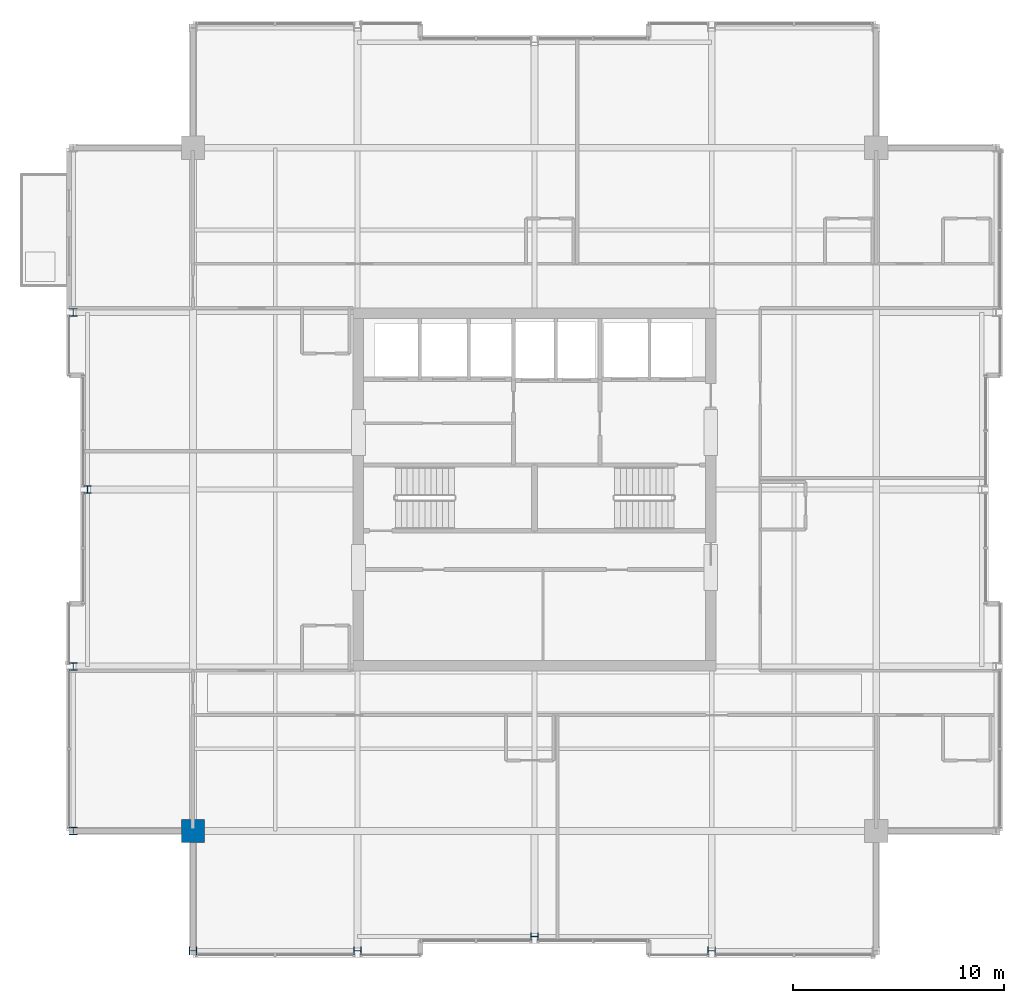
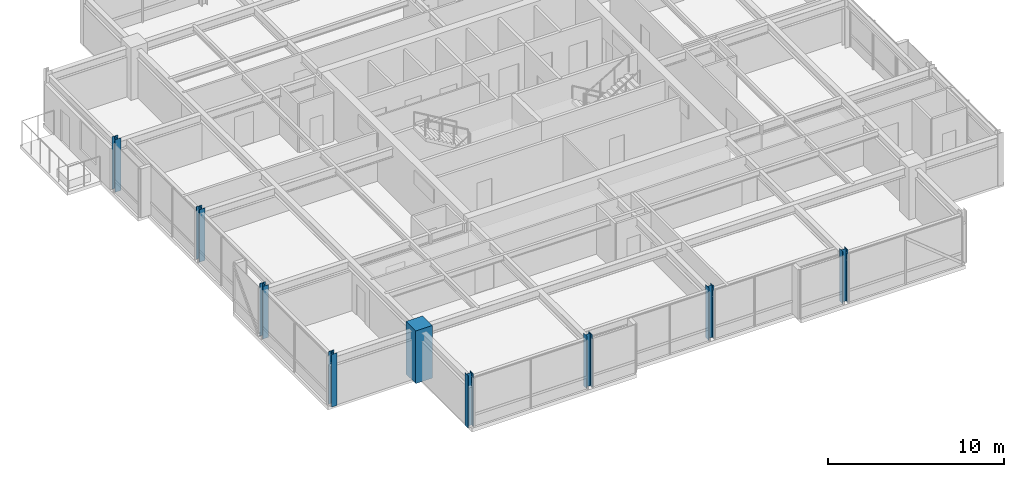
# One storey, part 1 of 33: 9 columns.
"""IFC4 building model written with IfcOpenShell, lengths in metres."""

from ifc_helpers import new_model, si_unit, direction, frame, origin, origin_2d, place, context, subcontext, project, spatial, rectangle, i_section, extrude, material, material_profile, profile_set, type_object, element, save


model = new_model("IFC4")

# Units and contexts
model_context = context("Model", 3, precision=1e-05, world=origin(), true_north=direction((0.0, 1.0)))
body_context = subcontext(model_context, "Body", "Model", "MODEL_VIEW")
ifc_project = project(units=[si_unit("LENGTHUNIT", "METRE"), si_unit("AREAUNIT", "SQUARE_METRE"), si_unit("VOLUMEUNIT", "CUBIC_METRE"), si_unit("PLANEANGLEUNIT", "RADIAN"), si_unit("MASSUNIT", "GRAM", prefix="KILO")], contexts=[model_context])

# Site, building, storey
site_placement = place(None, origin())
site = spatial("IfcSite", under=ifc_project, at=site_placement, CompositionType="ELEMENT")
building_placement = place(site_placement, origin())
building = spatial("IfcBuilding", under=site, at=building_placement, Name="Drelvath Grand Hotel", CompositionType="ELEMENT")
storey_placement = place(building_placement, frame((0.0, 0.0, 275.949951171875)))
storey = spatial("IfcBuildingStorey", under=building, at=storey_placement, Name="L72", CompositionType="ELEMENT", Elevation=275.949951171875)

# Columns
ifc_material_1 = material(Name="Concrete f'c 55 MPa", Category="concrete")
ifc_material_profile_1 = material_profile(ifc_material_1, rectangle(XDim=1.10009765625, YDim=1.10009765625, at=origin_2d()), Name="MC1100X1100")
ifc_profile_set_1 = profile_set([ifc_material_profile_1], Name="Concrete f'c 55 MPa")
column_type_1 = type_object("IfcColumnType", Name="Composite Mega Column MC1100X1100", PredefinedType="COLUMN", material=ifc_profile_set_1)
column_placement = place(storey_placement, frame((-16.199951171875, 10.800048828125, 0.0), z_axis=(0.0, 0.0, 1.0), x_axis=(1.0, 0.0, 0.0)))
element("IfcColumn", 1, at=column_placement, inside=storey, type_object=column_type_1, Name="L72 Composite Mega Column MC-SW", PredefinedType="COLUMN", context=body_context, shape_type="SweptSolid", body=[
    extrude(rectangle(XDim=1.10009765625, YDim=1.10009765625, at=origin_2d()), origin(), (0.0, 0.0, 1.0), 3.650146484375),
])
ifc_material_2 = material(Name="Steel ASTM A913 Gr 65", Category="steel")
ifc_material_profile_2 = material_profile(ifc_material_2, i_section(OverallWidth=0.368896484375, OverallDepth=0.356201171875, WebThickness=0.01123046875, FlangeThickness=0.01806640625, FilletRadius=0.02490234375, at=origin_2d()), Name="W14X90")
ifc_profile_set_2 = profile_set([ifc_material_profile_2], Name="Steel ASTM A913 Gr 65")
column_type_2 = type_object("IfcColumnType", Name="Perimeter Steel Column W14X90", PredefinedType="COLUMN", material=ifc_profile_set_2)
for number, where, z_axis, x_axis, name in (
    (2, (-21.8798828125, 10.800048828125, 0.0), (0.0, 0.0, 1.0), (1.0, 0.0, 0.0), "L72 Structural Column TCW-C"),
    (3, (-21.8798828125, 18.60009765625, 0.0), (0.0, 0.0, 1.0), (1.0, 0.0, 0.0), "L72 Structural Column TCW-D"),
    (4, (-21.199951171875, 27.0, 0.0), (0.0, 0.0, 1.0), (1.0, 0.0, 0.0), "L72 Structural Column TCW-E"),
    (5, (-21.8798828125, 35.39990234375, 0.0), (0.0, 0.0, 1.0), (1.0, 0.0, 0.0), "L72 Structural Column TCW-F"),
    (6, (-16.199951171875, 5.1201171875, 0.0), (0.0, 0.0, 1.0), (0.0, 1.0, 0.0), "L72 Structural Column TCS-3"),
    (7, (-8.39990234375, 5.1201171875, 0.0), (0.0, 0.0, 1.0), (0.0, 1.0, 0.0), "L72 Structural Column TCS-4"),
    (8, (0.0, 5.800048828125, 0.0), (0.0, 0.0, 1.0), (0.0, 1.0, 0.0), "L72 Structural Column TCS-5"),
    (9, (8.39990234375, 5.1201171875, 0.0), (0.0, 0.0, 1.0), (0.0, 1.0, 0.0), "L72 Structural Column TCS-6"),
):
    element("IfcColumn", number, at=place(storey_placement, frame(where, z_axis=z_axis, x_axis=x_axis)), inside=storey, type_object=column_type_2, Name=name, PredefinedType="COLUMN", context=body_context, shape_type="SweptSolid", body=[
        extrude(i_section(OverallWidth=0.368896484375, OverallDepth=0.356201171875, WebThickness=0.01123046875, FlangeThickness=0.01806640625, FilletRadius=0.02490234375, at=origin_2d()), origin(), (0.0, 0.0, 1.0), 3.64697265625),
    ])

save(model, "model.ifc")
